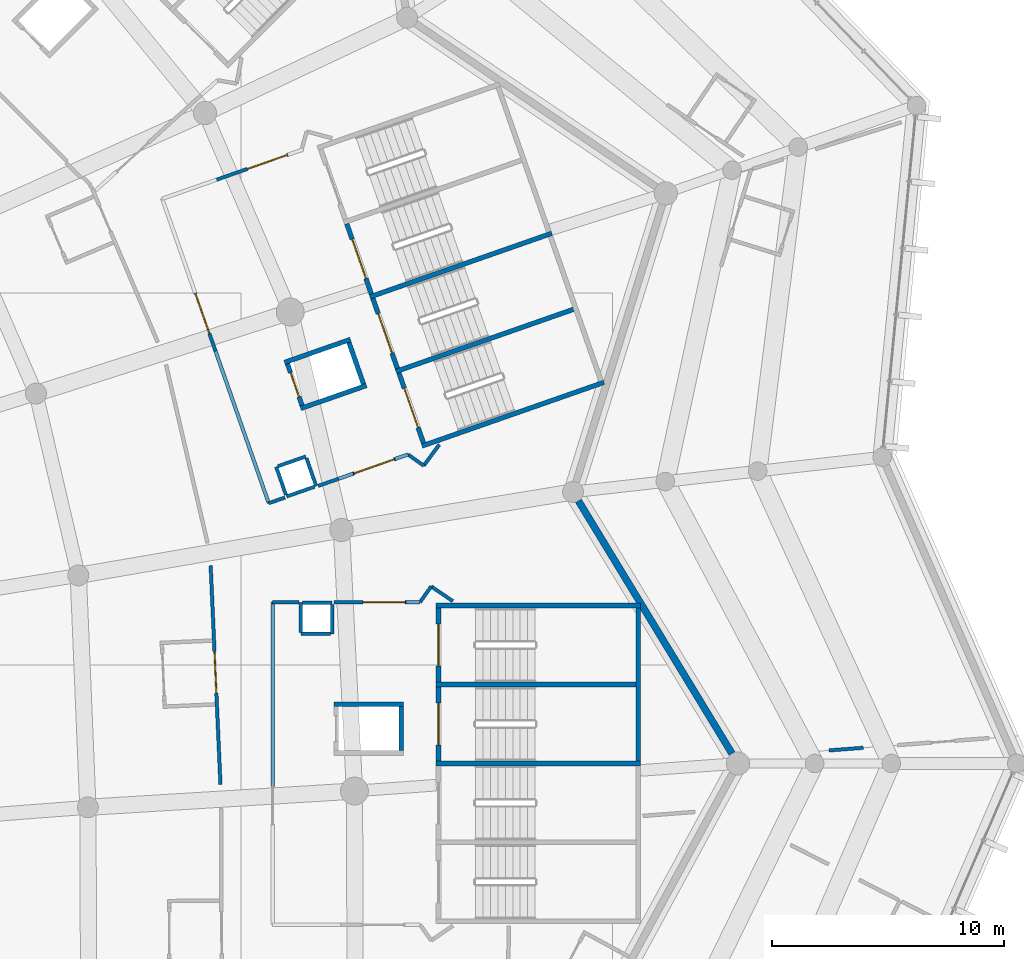
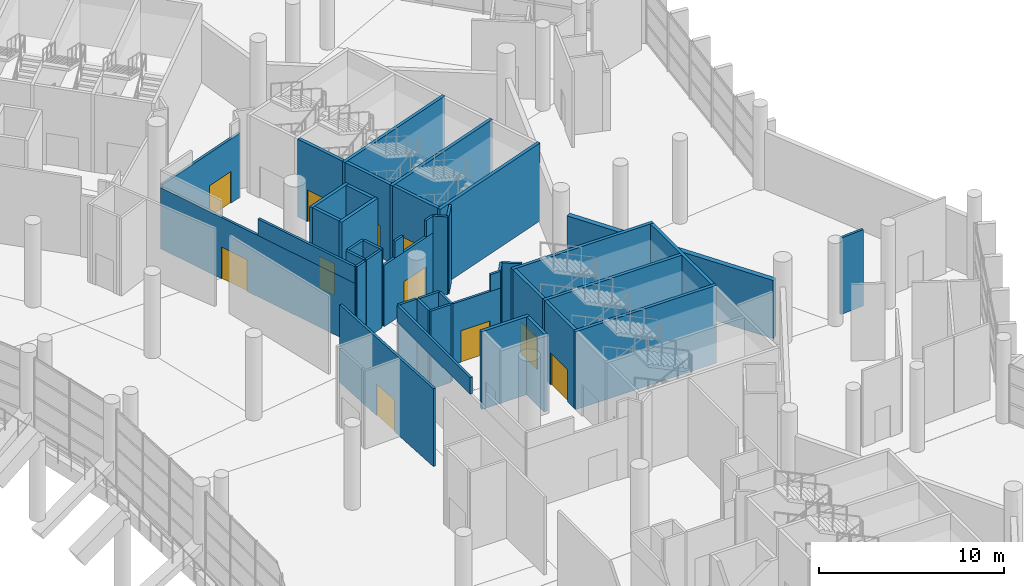
# One storey, part 194 of 271: 44 walls, 11 doors, 11 openings.
"""IFC4 building model written with IfcOpenShell, lengths in metres."""

import ifcopenshell
import ifcopenshell.guid

model = None  # the IFC model being written
_history = None  # IfcOwnerHistory: only IFC2X3 demands one
_inside = {}  # id of a spatial element -> (the spatial element, [elements in it])
_under = {}  # id of a project, library or spatial element -> (it, [spatial elements below it])
_declared = {}  # id of a project -> (the project, [libraries it declares])
_typed = {}  # id of a type object -> (the type object, [elements of that type])
_made_of = {}  # id of a material, layer set ... -> (it, [elements and type objects made of it])


def new_model(schema):
    """Start an empty IFC model of exactly this schema.

    Asked for "IFC4X3", IfcOpenShell would pick the latest addendum, in which some entities
    have other attributes; the version numbers below select the first issue.
    IFC2X3 requires an IfcOwnerHistory on every rooted entity: one is made here for all.
    """
    global model, _history
    if schema == "IFC4X3":
        model = ifcopenshell.file(schema_version=(4, 3, 0, 0))
    else:
        model = ifcopenshell.file(schema=schema)
    _inside.clear()
    _under.clear()
    _declared.clear()
    _typed.clear()
    _made_of.clear()
    _history = None
    if model.schema == "IFC2X3":
        org = make("IfcOrganization", Name="unknown")
        user = make(
            "IfcPersonAndOrganization",
            ThePerson=make("IfcPerson", FamilyName="unknown"),
            TheOrganization=org,
        )
        app = make(
            "IfcApplication",
            ApplicationDeveloper=org,
            Version="unknown",
            ApplicationFullName="unknown",
            ApplicationIdentifier="unknown",
        )
        _history = make(
            "IfcOwnerHistory",
            OwningUser=user,
            OwningApplication=app,
            ChangeAction="ADDED",
            CreationDate=0,
        )
    return model


def make(cls, **values):
    """One entity of the class cls with the attributes given. An attribute that is None is left unset."""
    return model.create_entity(
        cls, **{name: value for name, value in values.items() if value is not None}
    )


def rooted(cls, **values):
    """An entity with a GlobalId (a new one), such as an element, a storey or a relation."""
    return make(cls, GlobalId=ifcopenshell.guid.new(), OwnerHistory=_history, **values)


def si_unit(unit_type, name, prefix=None):
    """IfcSIUnit, for example si_unit("LENGTHUNIT", "METRE", prefix="MILLI")."""
    return make("IfcSIUnit", UnitType=unit_type, Prefix=prefix, Name=name)


def assignment(units):
    """IfcUnitAssignment: the units of a project."""
    return None if units is None else make("IfcUnitAssignment", Units=units)


def point(xyz):
    """IfcCartesianPoint."""
    return None if xyz is None else make("IfcCartesianPoint", Coordinates=xyz)


def direction(xyz):
    """IfcDirection."""
    return None if xyz is None else make("IfcDirection", DirectionRatios=xyz)


def frame(location, z_axis=None, x_axis=None):
    """IfcAxis2Placement3D, a coordinate frame: its origin and axes. An axis left out is left unset."""
    return make(
        "IfcAxis2Placement3D",
        Location=point(location),
        Axis=direction(z_axis),
        RefDirection=direction(x_axis),
    )


def frame_2d(location, x_axis=None):
    """IfcAxis2Placement2D, a coordinate frame in the plane: its origin and x axis."""
    return make(
        "IfcAxis2Placement2D", Location=point(location), RefDirection=direction(x_axis)
    )


def origin():
    """The frame at (0, 0, 0) with its axes left unset."""
    return frame((0.0, 0.0, 0.0))


def place(relative_to, where):
    """IfcLocalPlacement: puts the frame where relative to a parent placement (None: the world)."""
    return make(
        "IfcLocalPlacement", PlacementRelTo=relative_to, RelativePlacement=where
    )


def context(
    kind, dimensions, precision=None, world=None, true_north=None, identifier=None
):
    """IfcGeometricRepresentationContext, for example the 3D "Model" context."""
    return make(
        "IfcGeometricRepresentationContext",
        ContextIdentifier=identifier,
        ContextType=kind,
        CoordinateSpaceDimension=dimensions,
        Precision=precision,
        WorldCoordinateSystem=world,
        TrueNorth=true_north,
    )


def subcontext(parent, identifier, kind, view, scale=None):
    """IfcGeometricRepresentationSubContext, for example "Body" below "Model"."""
    return make(
        "IfcGeometricRepresentationSubContext",
        ContextIdentifier=identifier,
        ContextType=kind,
        ParentContext=parent,
        TargetScale=scale,
        TargetView=view,
    )


def project(units=None, contexts=None):
    """IfcProject with its units and contexts."""
    return rooted(
        "IfcProject",
        Name="project",
        RepresentationContexts=contexts,
        UnitsInContext=assignment(units),
    )


def spatial(cls, under=None, at=None, **own):
    """A site, building, storey or space (cls), placed at a placement, below another one or the project."""
    s = rooted(cls, ObjectPlacement=at, **own)
    if under is not None:
        _under.setdefault(under.id(), (under, []))[1].append(s)
    return s


def profile(cls, at=None, kind="AREA", **sizes):
    """A parametric profile (cls). Its sizes go by their IFC names, for example OverallWidth=200.0."""
    return make(cls, ProfileType=kind, Position=at, **sizes)


def rectangle(**sizes):
    """IfcRectangleProfileDef."""
    return profile("IfcRectangleProfileDef", **sizes)


def extrude(swept, where, along, depth):
    """IfcExtrudedAreaSolid: the profile swept, set in the frame where, extruded along a direction by depth."""
    return make(
        "IfcExtrudedAreaSolid",
        SweptArea=swept,
        Position=where,
        ExtrudedDirection=direction(along),
        Depth=depth,
    )


def shape(context_of_items, identifier, shape_type, items):
    """IfcShapeRepresentation: the items that make up one representation, for example the "Body"."""
    return make(
        "IfcShapeRepresentation",
        ContextOfItems=context_of_items,
        RepresentationIdentifier=identifier,
        RepresentationType=shape_type,
        Items=items,
    )


def material(Name=None, Category=None):
    """IfcMaterial."""
    return make("IfcMaterial", Name=Name, Category=Category)


def layer(
    of_material, thickness, ventilated=None, Name=None, Category=None, Priority=None
):
    """IfcMaterialLayer: one layer of a wall or slab, of a material (None: an air gap)."""
    return make(
        "IfcMaterialLayer",
        Material=of_material,
        LayerThickness=thickness,
        IsVentilated=ventilated,
        Name=Name,
        Category=Category,
        Priority=Priority,
    )


def layer_set(layers, Name=None):
    """IfcMaterialLayerSet."""
    return make("IfcMaterialLayerSet", MaterialLayers=layers, LayerSetName=Name)


def made_of(thing, what):
    """Note that an element or type object is made of a material, layer set ...; save() writes the relation."""
    if what is not None:
        _made_of.setdefault(what.id(), (what, []))[1].append(thing)
    return thing


def type_object(cls, material=None, **own):
    """A type object (cls), such as IfcWallType, which elements share."""
    return made_of(rooted(cls, **own), material)


def element(
    cls,
    number,
    at=None,
    inside=None,
    cuts=None,
    type_object=None,
    material=None,
    context=None,
    identifier="Body",
    shape_type=None,
    held_by="IfcProductDefinitionShape",
    body=None,
    shapes=None,
    **own,
):
    """One element of the class cls, such as IfcWall. Its Tag is "e" and its number.

    at: its placement. inside: the storey or other place that contains it. cuts: it is an
    opening in that element (IfcRelVoidsElement). A single representation is given by context,
    identifier, shape_type and body (its items); several are given by shapes. held_by: the class
    of the entity that holds the representations. save() writes the other relations.
    """
    e = rooted(cls, Tag="e%d" % number, ObjectPlacement=at, **own)
    if body is not None:
        shapes = [shape(context, identifier, shape_type, body)]
    if shapes is not None:
        e.Representation = make(held_by, Representations=shapes)
    if inside is not None:
        _inside.setdefault(inside.id(), (inside, []))[1].append(e)
    if cuts is not None:
        rooted(
            "IfcRelVoidsElement", RelatingBuildingElement=cuts, RelatedOpeningElement=e
        )
    if type_object is not None:
        _typed.setdefault(type_object.id(), (type_object, []))[1].append(e)
    return made_of(e, material)


def fill(opening, filler):
    """IfcRelFillsElement: the door or window that sits in an opening."""
    return rooted(
        "IfcRelFillsElement",
        RelatingOpeningElement=opening,
        RelatedBuildingElement=filler,
    )


def aggregate(whole, parts):
    """IfcRelAggregates: a whole, such as a stair, and the parts it consists of."""
    return rooted("IfcRelAggregates", RelatingObject=whole, RelatedObjects=parts)


def save(model, path):
    """Write the relations noted so far, then the file.

    IfcRelAggregates (storeys below a building ...), IfcRelContainedInSpatialStructure (elements
    in a storey), IfcRelDefinesByType, IfcRelAssociatesMaterial and IfcRelDeclares: one each for
    every whole, place, type object, material and project.
    """
    for whole, parts in _under.values():
        aggregate(whole, parts)
    for where, things in _inside.values():
        rooted(
            "IfcRelContainedInSpatialStructure",
            RelatedElements=things,
            RelatingStructure=where,
        )
    for kind, things in _typed.values():
        rooted("IfcRelDefinesByType", RelatedObjects=things, RelatingType=kind)
    for what, things in _made_of.values():
        rooted("IfcRelAssociatesMaterial", RelatedObjects=things, RelatingMaterial=what)
    for by, libraries in _declared.values():
        rooted("IfcRelDeclares", RelatingContext=by, RelatedDefinitions=libraries)
    model.write(path)


model = new_model("IFC4")

# Units and contexts
model_context = context("Model", 3, precision=1e-05, world=origin(), true_north=direction((0.0, 1.0)))
body_context = subcontext(model_context, "Body", "Model", "MODEL_VIEW")
ifc_project = project(units=[si_unit("LENGTHUNIT", "METRE"), si_unit("AREAUNIT", "SQUARE_METRE"), si_unit("VOLUMEUNIT", "CUBIC_METRE"), si_unit("PLANEANGLEUNIT", "RADIAN"), si_unit("MASSUNIT", "GRAM", prefix="KILO")], contexts=[model_context])

# Site, building, storey
site_placement = place(None, origin())
site = spatial("IfcSite", under=ifc_project, at=site_placement, CompositionType="ELEMENT")
building_placement = place(site_placement, origin())
building = spatial("IfcBuilding", under=site, at=building_placement, Name="Meseta Stadium", CompositionType="ELEMENT")
storey_placement = place(building_placement, frame((0.0, 0.0, 6.5)))
storey = spatial("IfcBuildingStorey", under=building, at=storey_placement, Name="L01", CompositionType="ELEMENT", Elevation=6.5)

# Walls
ifc_material_1 = material(Name="Concrete C40/50", Category="concrete")
ifc_layer_1 = layer(ifc_material_1, 0.199951171875)
ifc_layer_set_1 = layer_set([ifc_layer_1], Name="Core divider wall 200")
wall_type_1 = type_object("IfcWallType", Name="Core divider wall 200", PredefinedType="SHEAR", material=ifc_layer_set_1)
wall_1_placement = place(storey_placement, frame((97.199951171875, 47.14990234375, 0.0), z_axis=(0.0, 0.0, 1.0), x_axis=(-1.0, 0.0, 0.0)))
element("IfcWall", 1, at=wall_1_placement, inside=storey, type_object=wall_type_1, Name="Core 05 L01 stair B divider wall", PredefinedType="SHEAR", context=body_context, shape_type="SweptSolid", body=[
    extrude(rectangle(XDim=8.800048828125, YDim=0.199951171875, at=frame_2d((4.39990234375, 0.0))), origin(), (0.0, 0.0, 1.0), 5.14990234375),
])
wall_2_placement = place(storey_placement, frame((94.505859375, 63.370849609375, 0.0), z_axis=(0.0, 0.0, 1.0), x_axis=(-0.943878073457, -0.330294084791, 0.0)))
element("IfcWall", 2, at=wall_2_placement, inside=storey, type_object=wall_type_1, Name="Core 06 L01 stair A divider wall", PredefinedType="SHEAR", context=body_context, shape_type="SweptSolid", body=[
    extrude(rectangle(XDim=8.300048828125, YDim=0.199951171875, at=frame_2d((4.14990234375, 0.0))), origin(), (0.0, 0.0, 1.0), 5.14990234375),
])
ifc_material_2 = material(Name="Concrete C40/50", Category="concrete")
ifc_layer_2 = layer(ifc_material_2, 0.199951171875)
ifc_layer_set_2 = layer_set([ifc_layer_2], Name="Core shaft wall 200")
wall_type_2 = type_object("IfcWallType", Name="Core shaft wall 200", PredefinedType="SHEAR", material=ifc_layer_set_2)
for number, where, z_axis, x_axis, name in (
    (3, (97.199951171875, 43.75, 0.0), (0.0, 0.0, 1.0), (-1.0, 0.0, 0.0), "Core 05 L01 stair wall shared"),
    (4, (97.199951171875, 50.550048828125, 0.0), (0.0, 0.0, 1.0), (-1.0, 0.0, 0.0), "Core 05 L01 stair wall B-side"),
):
    element("IfcWall", number, at=place(storey_placement, frame(where, z_axis=z_axis, x_axis=x_axis)), inside=storey, type_object=wall_type_2, Name=name, PredefinedType="SHEAR", context=body_context, shape_type="SweptSolid", body=[
        extrude(rectangle(XDim=8.800048828125, YDim=0.199951171875, at=frame_2d((4.39990234375, 0.0))), origin(), (0.0, 0.0, 1.0), 5.14990234375),
    ])
wall_3_placement = place(storey_placement, frame((97.10009765625, 43.85009765625, 0.0), z_axis=(0.0, 0.0, 1.0), x_axis=(0.0, 1.0, 0.0)))
element("IfcWall", 5, at=wall_3_placement, inside=storey, type_object=wall_type_2, Name="Core 05 L01 stair B outer end wall", PredefinedType="SHEAR", context=body_context, shape_type="SweptSolid", body=[
    extrude(rectangle(XDim=6.599853515625, YDim=0.199951171875, at=frame_2d((3.2998046875, 0.0))), origin(), (0.0, 0.0, 1.0), 5.14990234375),
])

# Wall, opening, door
wall_4_placement = place(storey_placement, frame((88.5, 43.85009765625, 0.0), z_axis=(0.0, 0.0, 1.0), x_axis=(0.0, 1.0, 0.0)))
wall_4 = element("IfcWall", 6, at=wall_4_placement, inside=storey, type_object=wall_type_2, Name="Core 05 L01 stair B1 inner end wall", PredefinedType="SHEAR", context=body_context, shape_type="SweptSolid", body=[
    extrude(rectangle(XDim=3.199951171875, YDim=0.199951171875, at=frame_2d((1.60009765625, 0.0))), origin(), (0.0, 0.0, 1.0), 5.14990234375),
])
opening_1_placement = place(wall_4_placement, frame((0.699951171875, 0.0, 0.0)))
opening_1 = element("IfcOpeningElement", 7, at=opening_1_placement, cuts=wall_4, Name="Opening D089", PredefinedType="OPENING", context=body_context, shape_type="SweptSolid", body=[
    extrude(rectangle(XDim=1.800048828125, YDim=2.10009765625, at=frame_2d((0.89990234375, 1.050048828125))), frame((0.0, 0.10986328125, 0.0), z_axis=(0.0, -1.0, 0.0), x_axis=(1.0, 0.0, 0.0)), (0.0, 0.0, 1.0), 0.219970703125),
])
ifc_material_3 = material(Name="Steel", Category="steel")
door_type_1 = type_object("IfcDoorType", Name="Stair door 1800x2100", OperationType="DOUBLE_DOOR_SINGLE_SWING", PredefinedType="DOOR", material=ifc_material_3)
door_1_placement = place(opening_1_placement, origin())
door_1 = element("IfcDoor", 8, at=door_1_placement, inside=storey, type_object=door_type_1, Name="Stair B1 door 05 L01", OperationType="DOUBLE_DOOR_SINGLE_SWING", OverallHeight=2.10009765625, OverallWidth=1.800048828125, PredefinedType="DOOR", context=body_context, shape_type="SweptSolid", body=[
    extrude(rectangle(XDim=1.800048828125, YDim=2.10009765625, at=frame_2d((0.89990234375, 1.050048828125))), frame((0.0, 0.02490234375, 0.0), z_axis=(0.0, -1.0, 0.0), x_axis=(1.0, 0.0, 0.0)), (0.0, 0.0, 1.0), 0.050048828125),
])
fill(opening_1, door_1)

wall_5_placement = place(storey_placement, frame((88.5, 47.25, 0.0), z_axis=(0.0, 0.0, 1.0), x_axis=(0.0, 1.0, 0.0)))
wall_5 = element("IfcWall", 9, at=wall_5_placement, inside=storey, type_object=wall_type_2, Name="Core 05 L01 stair B2 inner end wall", PredefinedType="SHEAR", context=body_context, shape_type="SweptSolid", body=[
    extrude(rectangle(XDim=3.199951171875, YDim=0.199951171875, at=frame_2d((1.60009765625, 0.0))), origin(), (0.0, 0.0, 1.0), 5.14990234375),
])
opening_2_placement = place(wall_5_placement, frame((0.699951171875, 0.0, 0.0)))
opening_2 = element("IfcOpeningElement", 10, at=opening_2_placement, cuts=wall_5, Name="Opening D090", PredefinedType="OPENING", context=body_context, shape_type="SweptSolid", body=[
    extrude(rectangle(XDim=1.800048828125, YDim=2.10009765625, at=frame_2d((0.89990234375, 1.050048828125))), frame((0.0, 0.10986328125, 0.0), z_axis=(0.0, -1.0, 0.0), x_axis=(1.0, 0.0, 0.0)), (0.0, 0.0, 1.0), 0.219970703125),
])
door_2_placement = place(opening_2_placement, origin())
door_2 = element("IfcDoor", 11, at=door_2_placement, inside=storey, type_object=door_type_1, Name="Stair B2 door 05 L01", OperationType="DOUBLE_DOOR_SINGLE_SWING", OverallHeight=2.10009765625, OverallWidth=1.800048828125, PredefinedType="DOOR", context=body_context, shape_type="SweptSolid", body=[
    extrude(rectangle(XDim=1.800048828125, YDim=2.10009765625, at=frame_2d((0.89990234375, 1.050048828125))), frame((0.0, 0.02490234375, 0.0), z_axis=(0.0, -1.0, 0.0), x_axis=(1.0, 0.0, 0.0)), (0.0, 0.0, 1.0), 0.050048828125),
])
fill(opening_2, door_2)

# Walls
wall_6_placement = place(storey_placement, frame((87.0, 46.300048828125, 0.0), z_axis=(0.0, 0.0, 1.0), x_axis=(-1.0, 0.0, 0.0)))
element("IfcWall", 12, at=wall_6_placement, inside=storey, type_object=wall_type_2, Name="Core 05 L01 lift shaft wall right", PredefinedType="SHEAR", context=body_context, shape_type="SweptSolid", body=[
    extrude(rectangle(XDim=3.0, YDim=0.199951171875, at=frame_2d((1.5, 0.0))), origin(), (0.0, 0.0, 1.0), 5.14990234375),
])
wall_7_placement = place(storey_placement, frame((86.89990234375, 44.300048828125, 0.0), z_axis=(0.0, 0.0, 1.0), x_axis=(0.0, 1.0, 0.0)))
element("IfcWall", 13, at=wall_7_placement, inside=storey, type_object=wall_type_2, Name="Core 05 L01 lift shaft back wall", PredefinedType="SHEAR", context=body_context, shape_type="SweptSolid", body=[
    extrude(rectangle(XDim=1.89990234375, YDim=0.199951171875, at=frame_2d((0.949951171875, 0.0))), origin(), (0.0, 0.0, 1.0), 5.14990234375),
])
for number, where, z_axis, x_axis, name in (
    (14, (95.62890625, 60.16162109375, 0.0), (0.0, 0.0, 1.0), (-0.943887243331, -0.330267878966, 0.0), "Core 06 L01 stair wall A-side"),
    (15, (93.3828125, 66.580078125, 0.0), (0.0, 0.0, 1.0), (-0.943878073457, -0.330294084791, 0.0), "Core 06 L01 stair wall shared"),
):
    element("IfcWall", number, at=place(storey_placement, frame(where, z_axis=z_axis, x_axis=x_axis)), inside=storey, type_object=wall_type_2, Name=name, PredefinedType="SHEAR", context=body_context, shape_type="SweptSolid", body=[
        extrude(rectangle(XDim=8.300048828125, YDim=0.199951171875, at=frame_2d((4.14990234375, 0.0))), origin(), (0.0, 0.0, 1.0), 5.14990234375),
    ])

# Wall, opening, door
wall_8_placement = place(storey_placement, frame((87.85595703125, 57.547607421875, 0.0), z_axis=(0.0, 0.0, 1.0), x_axis=(-0.330268863922, 0.943886898693, 0.0)))
wall_8 = element("IfcWall", 16, at=wall_8_placement, inside=storey, type_object=wall_type_2, Name="Core 06 L01 stair A1 inner end wall", PredefinedType="SHEAR", context=body_context, shape_type="SweptSolid", body=[
    extrude(rectangle(XDim=3.2001953125, YDim=0.199951171875, at=frame_2d((1.60009765625, 0.0))), origin(), (0.0, 0.0, 1.0), 5.14990234375),
])
opening_3_placement = place(wall_8_placement, frame((0.699951171875, 0.0, 0.0)))
opening_3 = element("IfcOpeningElement", 17, at=opening_3_placement, cuts=wall_8, Name="Opening D099", PredefinedType="OPENING", context=body_context, shape_type="SweptSolid", body=[
    extrude(rectangle(XDim=1.800048828125, YDim=2.10009765625, at=frame_2d((0.89990234375, 1.050048828125))), frame((0.0, 0.10986328125, 0.0), z_axis=(0.0, -1.0, 0.0), x_axis=(1.0, 0.0, 0.0)), (0.0, 0.0, 1.0), 0.219970703125),
])
door_3_placement = place(opening_3_placement, origin())
door_3 = element("IfcDoor", 18, at=door_3_placement, inside=storey, type_object=door_type_1, Name="Stair A1 door 06 L01", OperationType="DOUBLE_DOOR_SINGLE_SWING", OverallHeight=2.10009765625, OverallWidth=1.800048828125, PredefinedType="DOOR", context=body_context, shape_type="SweptSolid", body=[
    extrude(rectangle(XDim=1.800048828125, YDim=2.10009765625, at=frame_2d((0.89990234375, 1.050048828125))), frame((0.0, 0.02490234375, 0.0), z_axis=(0.0, -1.0, 0.0), x_axis=(1.0, 0.0, 0.0)), (0.0, 0.0, 1.0), 0.050048828125),
])
fill(opening_3, door_3)

wall_9_placement = place(storey_placement, frame((86.73291015625, 60.7568359375, 0.0), z_axis=(0.0, 0.0, 1.0), x_axis=(-0.330268863922, 0.943886898693, 0.0)))
wall_9 = element("IfcWall", 19, at=wall_9_placement, inside=storey, type_object=wall_type_2, Name="Core 06 L01 stair A2 inner end wall", PredefinedType="SHEAR", context=body_context, shape_type="SweptSolid", body=[
    extrude(rectangle(XDim=3.2001953125, YDim=0.199951171875, at=frame_2d((1.60009765625, 0.0))), origin(), (0.0, 0.0, 1.0), 5.14990234375),
])
opening_4_placement = place(wall_9_placement, frame((0.699951171875, 0.0, 0.0)))
opening_4 = element("IfcOpeningElement", 20, at=opening_4_placement, cuts=wall_9, Name="Opening D100", PredefinedType="OPENING", context=body_context, shape_type="SweptSolid", body=[
    extrude(rectangle(XDim=1.800048828125, YDim=2.10009765625, at=frame_2d((0.89990234375, 1.050048828125))), frame((0.0, 0.10986328125, 0.0), z_axis=(0.0, -1.0, 0.0), x_axis=(1.0, 0.0, 0.0)), (0.0, 0.0, 1.0), 0.219970703125),
])
door_4_placement = place(opening_4_placement, origin())
door_4 = element("IfcDoor", 21, at=door_4_placement, inside=storey, type_object=door_type_1, Name="Stair A2 door 06 L01", OperationType="DOUBLE_DOOR_SINGLE_SWING", OverallHeight=2.10009765625, OverallWidth=1.800048828125, PredefinedType="DOOR", context=body_context, shape_type="SweptSolid", body=[
    extrude(rectangle(XDim=1.800048828125, YDim=2.10009765625, at=frame_2d((0.89990234375, 1.050048828125))), frame((0.0, 0.02490234375, 0.0), z_axis=(0.0, -1.0, 0.0), x_axis=(1.0, 0.0, 0.0)), (0.0, 0.0, 1.0), 0.050048828125),
])
fill(opening_4, door_4)

wall_10_placement = place(storey_placement, frame((85.610107421875, 63.966064453125, 0.0), z_axis=(0.0, 0.0, 1.0), x_axis=(-0.330268863922, 0.943886898693, 0.0)))
wall_10 = element("IfcWall", 22, at=wall_10_placement, inside=storey, type_object=wall_type_2, Name="Core 06 L01 stair B1 inner end wall", PredefinedType="SHEAR", context=body_context, shape_type="SweptSolid", body=[
    extrude(rectangle(XDim=3.2001953125, YDim=0.199951171875, at=frame_2d((1.60009765625, 0.0))), origin(), (0.0, 0.0, 1.0), 5.14990234375),
])
opening_5_placement = place(wall_10_placement, frame((0.699951171875, 0.0, 0.0)))
opening_5 = element("IfcOpeningElement", 23, at=opening_5_placement, cuts=wall_10, Name="Opening D101", PredefinedType="OPENING", context=body_context, shape_type="SweptSolid", body=[
    extrude(rectangle(XDim=1.800048828125, YDim=2.10009765625, at=frame_2d((0.89990234375, 1.050048828125))), frame((0.0, 0.10986328125, 0.0), z_axis=(0.0, -1.0, 0.0), x_axis=(1.0, 0.0, 0.0)), (0.0, 0.0, 1.0), 0.219970703125),
])
door_5_placement = place(opening_5_placement, origin())
door_5 = element("IfcDoor", 24, at=door_5_placement, inside=storey, type_object=door_type_1, Name="Stair B1 door 06 L01", OperationType="DOUBLE_DOOR_SINGLE_SWING", OverallHeight=2.10009765625, OverallWidth=1.800048828125, PredefinedType="DOOR", context=body_context, shape_type="SweptSolid", body=[
    extrude(rectangle(XDim=1.800048828125, YDim=2.10009765625, at=frame_2d((0.89990234375, 1.050048828125))), frame((0.0, 0.02490234375, 0.0), z_axis=(0.0, -1.0, 0.0), x_axis=(1.0, 0.0, 0.0)), (0.0, 0.0, 1.0), 0.050048828125),
])
fill(opening_5, door_5)

# Walls
wall_11_placement = place(storey_placement, frame((85.39990234375, 60.025390625, 0.0), z_axis=(0.0, 0.0, 1.0), x_axis=(-0.943900215722, -0.330230802259, 0.0)))
element("IfcWall", 25, at=wall_11_placement, inside=storey, type_object=wall_type_2, Name="Core 06 L01 lift shaft wall left", PredefinedType="SHEAR", context=body_context, shape_type="SweptSolid", body=[
    extrude(rectangle(XDim=3.0, YDim=0.199951171875, at=frame_2d((1.5, 0.0))), origin(), (0.0, 0.0, 1.0), 5.14990234375),
])
wall_12_placement = place(storey_placement, frame((84.706298828125, 62.0078125, 0.0), z_axis=(0.0, 0.0, 1.0), x_axis=(-0.943874847782, -0.330303302625, 0.0)))
element("IfcWall", 26, at=wall_12_placement, inside=storey, type_object=wall_type_2, Name="Core 06 L01 lift shaft wall right", PredefinedType="SHEAR", context=body_context, shape_type="SweptSolid", body=[
    extrude(rectangle(XDim=3.000244140625, YDim=0.199951171875, at=frame_2d((1.5, 0.0))), origin(), (0.0, 0.0, 1.0), 5.14990234375),
])
wall_13_placement = place(storey_placement, frame((85.272216796875, 60.0869140625, 0.0), z_axis=(0.0, 0.0, 1.0), x_axis=(-0.330224505327, 0.943902418729, 0.0)))
element("IfcWall", 27, at=wall_13_placement, inside=storey, type_object=wall_type_2, Name="Core 06 L01 lift shaft back wall", PredefinedType="SHEAR", context=body_context, shape_type="SweptSolid", body=[
    extrude(rectangle(XDim=1.900146484375, YDim=0.199951171875, at=frame_2d((0.9501953125, 0.0))), origin(), (0.0, 0.0, 1.0), 5.14990234375),
])

# Wall, opening, door
wall_14_placement = place(storey_placement, frame((82.62939453125, 59.162109375, 0.0), z_axis=(0.0, 0.0, 1.0), x_axis=(-0.330224505327, 0.943902418729, 0.0)))
wall_14 = element("IfcWall", 28, at=wall_14_placement, inside=storey, type_object=wall_type_2, Name="Core 06 L01 lift shaft front wall", PredefinedType="SHEAR", context=body_context, shape_type="SweptSolid", body=[
    extrude(rectangle(XDim=1.900146484375, YDim=0.199951171875, at=frame_2d((0.9501953125, 0.0))), origin(), (0.0, 0.0, 1.0), 5.14990234375),
])
opening_6_placement = place(wall_14_placement, frame((0.39990234375, 0.0, 0.0)))
opening_6 = element("IfcOpeningElement", 29, at=opening_6_placement, cuts=wall_14, Name="Opening LD33", PredefinedType="OPENING", context=body_context, shape_type="SweptSolid", body=[
    extrude(rectangle(XDim=1.10009765625, YDim=2.10009765625, at=frame_2d((0.550048828125, 1.050048828125))), frame((0.0, 0.10986328125, 0.0), z_axis=(0.0, -1.0, 0.0), x_axis=(1.0, 0.0, 0.0)), (0.0, 0.0, 1.0), 0.219970703125),
])
ifc_material_4 = material(Name="Steel", Category="steel")
door_type_2 = type_object("IfcDoorType", Name="Lift landing door 1100x2100", OperationType="SLIDING_TO_LEFT", PredefinedType="DOOR", material=ifc_material_4)
door_6_placement = place(opening_6_placement, origin())
door_6 = element("IfcDoor", 30, at=door_6_placement, inside=storey, type_object=door_type_2, Name="Lift landing door LD33", OperationType="SLIDING_TO_LEFT", OverallHeight=2.10009765625, OverallWidth=1.10009765625, PredefinedType="DOOR", context=body_context, shape_type="SweptSolid", body=[
    extrude(rectangle(XDim=1.10009765625, YDim=2.10009765625, at=frame_2d((0.550048828125, 1.050048828125))), frame((0.0, 0.02490234375, 0.0), z_axis=(0.0, -1.0, 0.0), x_axis=(1.0, 0.0, 0.0)), (0.0, 0.0, 1.0), 0.050048828125),
])
fill(opening_6, door_6)

ifc_material_5 = material(Name="Masonry blockwork", Category="masonry")
ifc_layer_3 = layer(ifc_material_5, 0.14990234375)
ifc_layer_set_3 = layer_set([ifc_layer_3], Name="Partition 150")
wall_type_3 = type_object("IfcWallType", Name="Partition 150", PredefinedType="PARTITIONING", material=ifc_layer_set_3)
wall_15_placement = place(storey_placement, frame((78.69140625, 52.265869140625, 0.0), z_axis=(0.0, 0.0, 1.0), x_axis=(0.044749816806, -0.998998225172, 0.0)))
wall_15 = element("IfcWall", 31, at=wall_15_placement, inside=storey, type_object=wall_type_3, Name="Partition L01 L01-cell04-0-0", PredefinedType="PARTITIONING", context=body_context, shape_type="SweptSolid", body=[
    extrude(rectangle(XDim=9.427490234375, YDim=0.14990234375, at=frame_2d((4.7138671875, 0.0))), origin(), (0.0, 0.0, 1.0), 5.14990234375),
])
opening_7_placement = place(wall_15_placement, frame((3.699951171875, 0.0, 0.0)))
opening_7 = element("IfcOpeningElement", 32, at=opening_7_placement, cuts=wall_15, Name="Opening D645", PredefinedType="OPENING", context=body_context, shape_type="SweptSolid", body=[
    extrude(rectangle(XDim=1.800048828125, YDim=2.10009765625, at=frame_2d((0.89990234375, 1.050048828125))), frame((0.0, 0.0849609375, 0.0), z_axis=(0.0, -1.0, 0.0), x_axis=(1.0, 0.0, 0.0)), (0.0, 0.0, 1.0), 0.169921875),
])
ifc_material_6 = material(Name="Steel", Category="steel")
door_type_3 = type_object("IfcDoorType", Name="Fire double door 1800x2100 EI2 60", OperationType="DOUBLE_DOOR_SINGLE_SWING", PredefinedType="DOOR", material=ifc_material_6)
door_7_placement = place(opening_7_placement, origin())
door_7 = element("IfcDoor", 33, at=door_7_placement, inside=storey, type_object=door_type_3, Name="Door D645", OperationType="DOUBLE_DOOR_SINGLE_SWING", OverallHeight=2.10009765625, OverallWidth=1.800048828125, PredefinedType="DOOR", context=body_context, shape_type="SweptSolid", body=[
    extrude(rectangle(XDim=1.800048828125, YDim=2.10009765625, at=frame_2d((0.89990234375, 1.050048828125))), frame((0.0, 0.02490234375, 0.0), z_axis=(0.0, -1.0, 0.0), x_axis=(1.0, 0.0, 0.0)), (0.0, 0.0, 1.0), 0.050048828125),
])
fill(opening_7, door_7)

# Walls
wall_16_placement = place(storey_placement, frame((105.318115234375, 44.311767578125, 0.0), z_axis=(0.0, 0.0, 1.0), x_axis=(0.997067085138, 0.076532527296, 0.0)))
element("IfcWall", 34, at=wall_16_placement, inside=storey, type_object=wall_type_3, Name="Partition L01 L01-ring03-0b3", PredefinedType="PARTITIONING", context=body_context, shape_type="SweptSolid", body=[
    extrude(rectangle(XDim=1.480224609375, YDim=0.14990234375, at=frame_2d((0.740234375, 0.0))), origin(), (0.0, 0.0, 1.0), 5.050048828125),
])
for number, where, z_axis, x_axis, name in (
    (35, (83.925048828125, 49.324951171875, 0.0), (0.0, 0.0, 1.0), (0.0, 1.0, 0.0), "Pressurisation shaft wall L01 core 05"),
    (36, (83.925048828125, 50.675048828125, 0.0), (0.0, 0.0, 1.0), (-1.0, 0.0, 0.0), "Pressurisation shaft wall L01 core 05"),
    (37, (82.574951171875, 50.675048828125, 0.0), (0.0, 0.0, 1.0), (0.0, -1.0, 0.0), "Pressurisation shaft wall L01 core 05"),
    (38, (82.574951171875, 49.324951171875, 0.0), (0.0, 0.0, 1.0), (1.0, 0.0, 0.0), "Pressurisation shaft wall L01 core 05"),
):
    element("IfcWall", number, at=place(storey_placement, frame(where, z_axis=z_axis, x_axis=x_axis)), inside=storey, type_object=wall_type_3, Name=name, PredefinedType="PARTITIONING", context=body_context, shape_type="SweptSolid", body=[
        extrude(rectangle(XDim=1.275146484375, YDim=0.14990234375, at=frame_2d((0.6376953125, 0.0))), origin(), (0.0, 0.0, 1.0), 5.14990234375),
    ])
wall_17_placement = place(storey_placement, frame((82.489990234375, 50.695068359375, 0.0), z_axis=(0.0, 0.0, 1.0), x_axis=(-1.0, 0.0, 0.0)))
element("IfcWall", 39, at=wall_17_placement, inside=storey, type_object=wall_type_3, Name="Stair vestibule wall L01 core 05", PredefinedType="PARTITIONING", context=body_context, shape_type="SweptSolid", body=[
    extrude(rectangle(XDim=1.135009765625, YDim=0.14990234375, at=frame_2d((0.5673828125, 0.0))), origin(), (0.0, 0.0, 1.0), 5.14990234375),
])
wall_18_placement = place(storey_placement, frame((81.35498046875, 50.695068359375, 4.050048828125), z_axis=(0.0, 0.0, 1.0), x_axis=(0.0, -1.0, 0.0)))
element("IfcWall", 40, at=wall_18_placement, inside=storey, type_object=wall_type_3, Name="Stair vestibule wall L01 core 05", PredefinedType="PARTITIONING", context=body_context, shape_type="SweptSolid", body=[
    extrude(rectangle(XDim=7.937255859375, YDim=0.14990234375, at=frame_2d((3.96875, 0.0))), origin(), (0.0, 0.0, 1.0), 1.099853515625),
])
wall_19_placement = place(storey_placement, frame((89.11962890625, 50.739501953125, 0.0), z_axis=(0.0, 0.0, 1.0), x_axis=(-0.827055308354, 0.562120553728, 0.0)))
element("IfcWall", 41, at=wall_19_placement, inside=storey, type_object=wall_type_3, Name="Stair vestibule wall L01 core 05", PredefinedType="PARTITIONING", context=body_context, shape_type="SweptSolid", body=[
    extrude(rectangle(XDim=1.1279296875, YDim=0.14990234375, at=frame_2d((0.56396484375, 0.0))), origin(), (0.0, 0.0, 1.0), 5.14990234375),
])
wall_20_placement = place(storey_placement, frame((88.186767578125, 51.37353515625, 0.0), z_axis=(0.0, 0.0, 1.0), x_axis=(-0.575376756214, -0.817888493872, 0.0)))
element("IfcWall", 42, at=wall_20_placement, inside=storey, type_object=wall_type_3, Name="Stair vestibule wall L01 core 05", PredefinedType="PARTITIONING", context=body_context, shape_type="SweptSolid", body=[
    extrude(rectangle(XDim=0.82958984375, YDim=0.14990234375, at=frame_2d((0.414794921875, 0.0))), origin(), (0.0, 0.0, 1.0), 5.14990234375),
])

# Wall, opening, door
wall_21_placement = place(storey_placement, frame((87.70947265625, 50.695068359375, 0.0), z_axis=(0.0, 0.0, 1.0), x_axis=(-1.0, 0.0, 0.0)))
wall_21 = element("IfcWall", 43, at=wall_21_placement, inside=storey, type_object=wall_type_3, Name="Stair vestibule wall L01 core 05", PredefinedType="PARTITIONING", context=body_context, shape_type="SweptSolid", body=[
    extrude(rectangle(XDim=3.70361328125, YDim=0.14990234375, at=frame_2d((1.851806640625, 0.0))), origin(), (0.0, 0.0, 1.0), 4.050048828125),
])
opening_8_placement = place(wall_21_placement, frame((0.64990234375, 0.0, 0.0)))
opening_8 = element("IfcOpeningElement", 44, at=opening_8_placement, cuts=wall_21, Name="Opening D757", PredefinedType="OPENING", context=body_context, shape_type="SweptSolid", body=[
    extrude(rectangle(XDim=1.800048828125, YDim=2.10009765625, at=frame_2d((0.89990234375, 1.050048828125))), frame((0.0, 0.0849609375, 0.0), z_axis=(0.0, -1.0, 0.0), x_axis=(1.0, 0.0, 0.0)), (0.0, 0.0, 1.0), 0.169921875),
])
door_8_placement = place(opening_8_placement, origin())
door_8 = element("IfcDoor", 45, at=door_8_placement, inside=storey, type_object=door_type_3, Name="Stair vestibule door L01 core 05", OperationType="DOUBLE_DOOR_SINGLE_SWING", OverallHeight=2.10009765625, OverallWidth=1.800048828125, PredefinedType="DOOR", context=body_context, shape_type="SweptSolid", body=[
    extrude(rectangle(XDim=1.800048828125, YDim=2.10009765625, at=frame_2d((0.89990234375, 1.050048828125))), frame((0.0, 0.02490234375, 0.0), z_axis=(0.0, -1.0, 0.0), x_axis=(1.0, 0.0, 0.0)), (0.0, 0.0, 1.0), 0.050048828125),
])
fill(opening_8, door_8)

# Walls
wall_22_placement = place(storey_placement, frame((87.70947265625, 50.695068359375, 4.050048828125), z_axis=(0.0, 0.0, 1.0), x_axis=(-1.0, 0.0, 0.0)))
element("IfcWall", 46, at=wall_22_placement, inside=storey, type_object=wall_type_3, Name="Stair vestibule wall L01 core 05", PredefinedType="PARTITIONING", context=body_context, shape_type="SweptSolid", body=[
    extrude(rectangle(XDim=0.599853515625, YDim=0.14990234375, at=frame_2d((0.2998046875, 0.0))), origin(), (0.0, 0.0, 1.0), 1.099853515625),
])
for number, where, z_axis, x_axis, name in (
    (47, (83.234619140625, 55.692138671875, 0.0), (0.0, 0.0, 1.0), (-0.330324835387, 0.943867312246, 0.0), "Pressurisation shaft wall L01 core 06"),
    (48, (82.78857421875, 56.96630859375, 0.0), (0.0, 0.0, 1.0), (-0.943927004722, -0.330154221169, 0.0), "Pressurisation shaft wall L01 core 06"),
    (49, (81.514404296875, 56.5205078125, 0.0), (0.0, 0.0, 1.0), (0.330154221169, -0.943927004722, 0.0), "Pressurisation shaft wall L01 core 06"),
):
    element("IfcWall", number, at=place(storey_placement, frame(where, z_axis=z_axis, x_axis=x_axis)), inside=storey, type_object=wall_type_3, Name=name, PredefinedType="PARTITIONING", context=body_context, shape_type="SweptSolid", body=[
        extrude(rectangle(XDim=1.27490234375, YDim=0.14990234375, at=frame_2d((0.637451171875, 0.0))), origin(), (0.0, 0.0, 1.0), 5.14990234375),
    ])
wall_23_placement = place(storey_placement, frame((81.960205078125, 55.246337890625, 0.0), z_axis=(0.0, 0.0, 1.0), x_axis=(0.943888201207, 0.330265141396, 0.0)))
element("IfcWall", 50, at=wall_23_placement, inside=storey, type_object=wall_type_3, Name="Pressurisation shaft wall L01 core 06", PredefinedType="PARTITIONING", context=body_context, shape_type="SweptSolid", body=[
    extrude(rectangle(XDim=1.275146484375, YDim=0.14990234375, at=frame_2d((0.6376953125, 0.0))), origin(), (0.0, 0.0, 1.0), 5.14990234375),
])

# Wall, opening, door
wall_24_placement = place(storey_placement, frame((82.677490234375, 70.19189453125, 0.0), z_axis=(0.0, 0.0, 1.0), x_axis=(-0.943884385731, -0.330276045715, 0.0)))
wall_24 = element("IfcWall", 51, at=wall_24_placement, inside=storey, type_object=wall_type_3, Name="Stair vestibule wall L01 core 06", PredefinedType="PARTITIONING", context=body_context, shape_type="SweptSolid", body=[
    extrude(rectangle(XDim=6.433349609375, YDim=0.14990234375, at=frame_2d((3.216796875, 0.0))), origin(), (0.0, 0.0, 1.0), 4.25),
])
opening_9_placement = place(wall_24_placement, frame((0.75, 0.0, 0.0)))
opening_9 = element("IfcOpeningElement", 52, at=opening_9_placement, cuts=wall_24, Name="Opening D761", PredefinedType="OPENING", context=body_context, shape_type="SweptSolid", body=[
    extrude(rectangle(XDim=1.800048828125, YDim=2.10009765625, at=frame_2d((0.89990234375, 1.050048828125))), frame((0.0, 0.0849609375, 0.0), z_axis=(0.0, -1.0, 0.0), x_axis=(1.0, 0.0, 0.0)), (0.0, 0.0, 1.0), 0.169921875),
])
door_9_placement = place(opening_9_placement, origin())
door_9 = element("IfcDoor", 53, at=door_9_placement, inside=storey, type_object=door_type_3, Name="Stair vestibule door L01 core 06", OperationType="DOUBLE_DOOR_SINGLE_SWING", OverallHeight=2.10009765625, OverallWidth=1.800048828125, PredefinedType="DOOR", context=body_context, shape_type="SweptSolid", body=[
    extrude(rectangle(XDim=1.800048828125, YDim=2.10009765625, at=frame_2d((0.89990234375, 1.050048828125))), frame((0.0, 0.02490234375, 0.0), z_axis=(0.0, -1.0, 0.0), x_axis=(1.0, 0.0, 0.0)), (0.0, 0.0, 1.0), 0.050048828125),
])
fill(opening_9, door_9)

wall_25_placement = place(storey_placement, frame((76.605224609375, 68.067138671875, 0.0), z_axis=(0.0, 0.0, 1.0), x_axis=(0.330282309563, -0.943882193915, 0.0)))
wall_25 = element("IfcWall", 54, at=wall_25_placement, inside=storey, type_object=wall_type_3, Name="Stair vestibule wall L01 core 06", PredefinedType="PARTITIONING", context=body_context, shape_type="SweptSolid", body=[
    extrude(rectangle(XDim=13.89013671875, YDim=0.14990234375, at=frame_2d((6.945068359375, 0.0))), origin(), (0.0, 0.0, 1.0), 4.050048828125),
])
opening_10_placement = place(wall_25_placement, frame((4.35009765625, 0.0, 0.0)))
opening_10 = element("IfcOpeningElement", 55, at=opening_10_placement, cuts=wall_25, Name="Opening D759", PredefinedType="OPENING", context=body_context, shape_type="SweptSolid", body=[
    extrude(rectangle(XDim=1.800048828125, YDim=2.10009765625, at=frame_2d((0.89990234375, 1.050048828125))), frame((0.0, 0.0849609375, 0.0), z_axis=(0.0, -1.0, 0.0), x_axis=(1.0, 0.0, 0.0)), (0.0, 0.0, 1.0), 0.169921875),
])
door_10_placement = place(opening_10_placement, origin())
door_10 = element("IfcDoor", 56, at=door_10_placement, inside=storey, type_object=door_type_3, Name="Stair vestibule door L01 core 06", OperationType="DOUBLE_DOOR_SINGLE_SWING", OverallHeight=2.10009765625, OverallWidth=1.800048828125, PredefinedType="DOOR", context=body_context, shape_type="SweptSolid", body=[
    extrude(rectangle(XDim=1.800048828125, YDim=2.10009765625, at=frame_2d((0.89990234375, 1.050048828125))), frame((0.0, 0.02490234375, 0.0), z_axis=(0.0, -1.0, 0.0), x_axis=(1.0, 0.0, 0.0)), (0.0, 0.0, 1.0), 0.050048828125),
])
fill(opening_10, door_10)

# Walls
wall_26_placement = place(storey_placement, frame((78.899169921875, 61.511962890625, 4.050048828125), z_axis=(0.0, 0.0, 1.0), x_axis=(0.330261170987, -0.943889590439, 0.0)))
element("IfcWall", 57, at=wall_26_placement, inside=storey, type_object=wall_type_3, Name="Stair vestibule wall L01 core 06", PredefinedType="PARTITIONING", context=body_context, shape_type="SweptSolid", body=[
    extrude(rectangle(XDim=6.945068359375, YDim=0.14990234375, at=frame_2d((3.47265625, 0.0))), origin(), (0.0, 0.0, 1.0), 1.099853515625),
])
wall_27_placement = place(storey_placement, frame((81.19287109375, 54.95654296875, 0.0), z_axis=(0.0, 0.0, 1.0), x_axis=(0.943853205793, 0.330365140284, 0.0)))
element("IfcWall", 58, at=wall_27_placement, inside=storey, type_object=wall_type_3, Name="Stair vestibule wall L01 core 06", PredefinedType="PARTITIONING", context=body_context, shape_type="SweptSolid", body=[
    extrude(rectangle(XDim=0.739013671875, YDim=0.14990234375, at=frame_2d((0.36962890625, 0.0))), origin(), (0.0, 0.0, 1.0), 5.14990234375),
])

# Wall, opening, door
wall_28_placement = place(storey_placement, frame((83.3212890625, 55.701416015625, 0.0), z_axis=(0.0, 0.0, 1.0), x_axis=(0.943873211719, 0.330307977801, 0.0)))
wall_28 = element("IfcWall", 59, at=wall_28_placement, inside=storey, type_object=wall_type_3, Name="Stair vestibule wall L01 core 06", PredefinedType="PARTITIONING", context=body_context, shape_type="SweptSolid", body=[
    extrude(rectangle(XDim=4.09912109375, YDim=0.14990234375, at=frame_2d((2.049560546875, 0.0))), origin(), (0.0, 0.0, 1.0), 4.050048828125),
])
opening_11_placement = place(wall_28_placement, frame((1.64990234375, 0.0, 0.0)))
opening_11 = element("IfcOpeningElement", 60, at=opening_11_placement, cuts=wall_28, Name="Opening D760", PredefinedType="OPENING", context=body_context, shape_type="SweptSolid", body=[
    extrude(rectangle(XDim=1.800048828125, YDim=2.10009765625, at=frame_2d((0.89990234375, 1.050048828125))), frame((0.0, 0.0849609375, 0.0), z_axis=(0.0, -1.0, 0.0), x_axis=(1.0, 0.0, 0.0)), (0.0, 0.0, 1.0), 0.169921875),
])
door_11_placement = place(opening_11_placement, origin())
door_11 = element("IfcDoor", 61, at=door_11_placement, inside=storey, type_object=door_type_3, Name="Stair vestibule door L01 core 06", OperationType="DOUBLE_DOOR_SINGLE_SWING", OverallHeight=2.10009765625, OverallWidth=1.800048828125, PredefinedType="DOOR", context=body_context, shape_type="SweptSolid", body=[
    extrude(rectangle(XDim=1.800048828125, YDim=2.10009765625, at=frame_2d((0.89990234375, 1.050048828125))), frame((0.0, 0.02490234375, 0.0), z_axis=(0.0, -1.0, 0.0), x_axis=(1.0, 0.0, 0.0)), (0.0, 0.0, 1.0), 0.050048828125),
])
fill(opening_11, door_11)

# Walls
wall_29_placement = place(storey_placement, frame((84.18115234375, 56.002197265625, 4.050048828125), z_axis=(0.0, 0.0, 1.0), x_axis=(0.943792058507, 0.330539786257, 0.0)))
element("IfcWall", 62, at=wall_29_placement, inside=storey, type_object=wall_type_3, Name="Stair vestibule wall L01 core 06", PredefinedType="PARTITIONING", context=body_context, shape_type="SweptSolid", body=[
    extrude(rectangle(XDim=0.689208984375, YDim=0.14990234375, at=frame_2d((0.3447265625, 0.0))), origin(), (0.0, 0.0, 1.0), 1.099853515625),
])
wall_30_placement = place(storey_placement, frame((87.1904296875, 57.055419921875, 0.0), z_axis=(0.0, 0.0, 1.0), x_axis=(0.813315890962, -0.581822362504, 0.0)))
element("IfcWall", 63, at=wall_30_placement, inside=storey, type_object=wall_type_3, Name="Stair vestibule wall L01 core 06", PredefinedType="PARTITIONING", context=body_context, shape_type="SweptSolid", body=[
    extrude(rectangle(XDim=0.830078125, YDim=0.14990234375, at=frame_2d((0.4150390625, 0.0))), origin(), (0.0, 0.0, 1.0), 5.14990234375),
])
wall_31_placement = place(storey_placement, frame((87.865478515625, 56.572509765625, 0.0), z_axis=(0.0, 0.0, 1.0), x_axis=(0.595036002288, 0.803699045651, 0.0)))
element("IfcWall", 64, at=wall_31_placement, inside=storey, type_object=wall_type_3, Name="Stair vestibule wall L01 core 06", PredefinedType="PARTITIONING", context=body_context, shape_type="SweptSolid", body=[
    extrude(rectangle(XDim=1.1279296875, YDim=0.14990234375, at=frame_2d((0.56396484375, 0.0))), origin(), (0.0, 0.0, 1.0), 5.14990234375),
])
wall_32_placement = place(storey_placement, frame((86.625, 56.857421875, 4.050048828125), z_axis=(0.0, 0.0, 1.0), x_axis=(0.943807519121, 0.330495638172, 0.0)))
element("IfcWall", 65, at=wall_32_placement, inside=storey, type_object=wall_type_3, Name="Stair vestibule wall L01 core 06", PredefinedType="PARTITIONING", context=body_context, shape_type="SweptSolid", body=[
    extrude(rectangle(XDim=0.59912109375, YDim=0.14990234375, at=frame_2d((0.299560546875, 0.0))), origin(), (0.0, 0.0, 1.0), 1.099853515625),
])
ifc_material_7 = material(Name="White precast concrete C40/50", Category="concrete")
ifc_layer_4 = layer(ifc_material_7, 0.300048828125)
ifc_layer_set_4 = layer_set([ifc_layer_4], Name="Pleated panel wall 300 concourse")
wall_type_4 = type_object("IfcWallType", Name="Pleated panel wall 300 concourse", PredefinedType="SOLIDWALL", material=ifc_layer_set_4)
wall_33_placement = place(storey_placement, frame((94.52783203125, 55.057373046875, 0.0), z_axis=(0.0, 0.0, 1.0), x_axis=(0.519362860044, -0.854553813172, 0.0)))
element("IfcWall", 66, at=wall_33_placement, inside=storey, type_object=wall_type_4, Name="Pleated facade panel L01 F08", PredefinedType="SOLIDWALL", context=body_context, shape_type="SweptSolid", body=[
    extrude(rectangle(XDim=12.732421875, YDim=0.300048828125, at=frame_2d((6.3662109375, 0.0))), origin(), (0.0, 0.0, 1.0), 3.85009765625),
])

save(model, "model.ifc")
